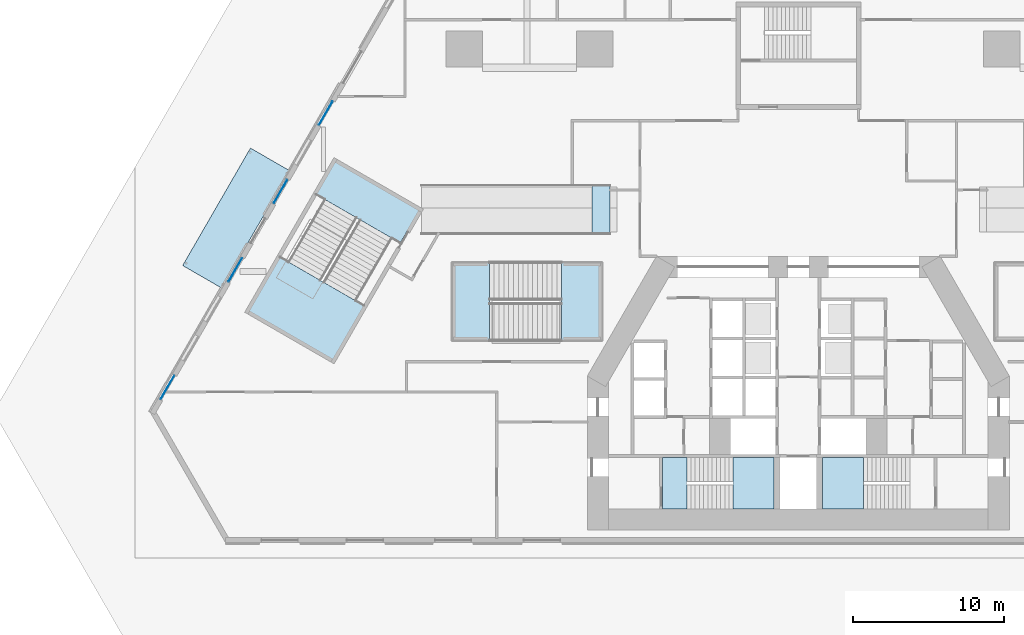
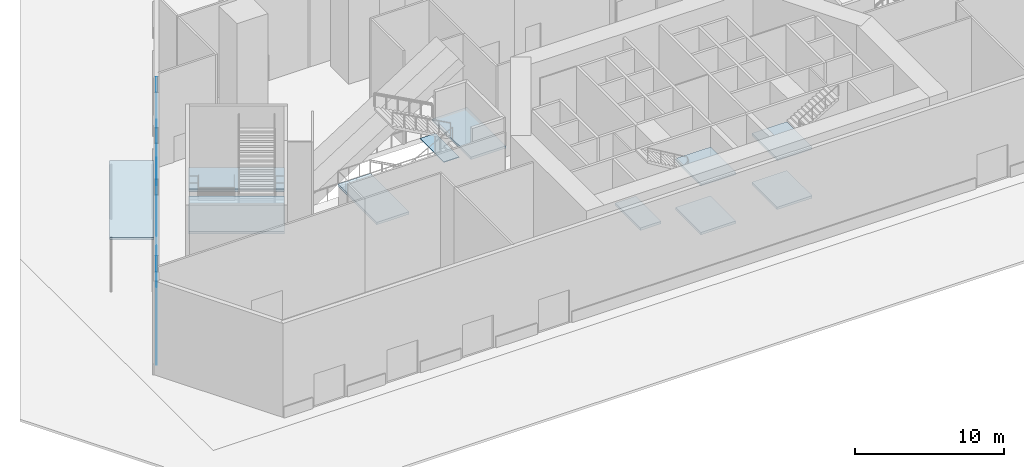
# One storey, part 9 of 24: 27 plates, 10 slabs, 8 elements without a shape of their own.
"""IFC4 building model written with IfcOpenShell, lengths in metres."""

from ifc_helpers import new_model, si_unit, direction, frame, origin, origin_2d, place, context, subcontext, project, spatial, polyline, rectangle, outline, extrude, material, layer, layer_set, type_object, element, aggregate, save


model = new_model("IFC4")

# Units and contexts
model_context = context("Model", 3, precision=1e-05, world=origin(), true_north=direction((0.0, 1.0)))
body_context = subcontext(model_context, "Body", "Model", "MODEL_VIEW")
ifc_project = project(units=[si_unit("LENGTHUNIT", "METRE"), si_unit("AREAUNIT", "SQUARE_METRE"), si_unit("VOLUMEUNIT", "CUBIC_METRE"), si_unit("PLANEANGLEUNIT", "RADIAN"), si_unit("MASSUNIT", "GRAM", prefix="KILO")], contexts=[model_context])

# Site, building, storey
site_placement = place(None, origin())
site = spatial("IfcSite", under=ifc_project, at=site_placement, CompositionType="ELEMENT")
building_placement = place(site_placement, origin())
building = spatial("IfcBuilding", under=site, at=building_placement, Name="Fogline Exchange Tower", CompositionType="ELEMENT")
storey_placement = place(building_placement, origin())
storey = spatial("IfcBuildingStorey", under=building, at=storey_placement, Name="L00", CompositionType="ELEMENT", Elevation=0.0)

# Slab
ifc_material_1 = material(Name="Steel Q355 grade B", Category="steel")
ifc_layer_1 = layer(ifc_material_1, 0.14990234375)
ifc_layer_set_1 = layer_set([ifc_layer_1], Name="CN1")
slab_type_1 = type_object("IfcSlabType", Name="CN1", PredefinedType="ROOF", material=ifc_layer_set_1)
slab_1_placement = place(storey_placement, frame((0.0, 0.0, 4.449951171875)))
element("IfcSlab", 1, at=slab_1_placement, inside=storey, type_object=slab_type_1, Name="Entrance canopy ST-W", PredefinedType="ROOF", context=body_context, shape_type="SweptSolid", body=[
    extrude(outline(polyline([(-33.75, 24.681640625), (-36.34814453125, 26.181640625), (-40.84814453125, 18.387451171875), (-38.25, 16.887451171875), (-33.75, 24.681640625)])), origin(), (0.0, 0.0, 1.0), 0.150146484375),
])

# Curtain wall, plates
ifc_material_2 = material(Name="Aluminium and glass", Category="aluminium")
curtain_wall_type_1 = type_object("IfcCurtainWallType", Name="CW1", PredefinedType="NOTDEFINED", material=ifc_material_2)
curtain_wall_1_placement = place(storey_placement, origin())
curtain_wall_1 = element("IfcCurtainWall", 2, at=curtain_wall_1_placement, inside=storey, type_object=curtain_wall_type_1, Name="CW1 L00 W run 2", PredefinedType="NOTDEFINED")
ifc_material_3 = material(Name="Glass", Category="glass")
ifc_layer_2 = layer(ifc_material_3, 0.035888671875)
ifc_layer_set_2 = layer_set([ifc_layer_2], Name="CW1-P")
plate_type_1 = type_object("IfcPlateType", Name="CW1-P", PredefinedType="CURTAIN_PANEL", material=ifc_layer_set_2)
plate_1_placement = place(storey_placement, frame((-34.352783203125, 23.297607421875, 0.080078125), z_axis=(0.0, 0.0, 1.0), x_axis=(-0.500001811561, -0.866024357877, 0.0)))
plate_1 = element("IfcPlate", 3, at=plate_1_placement, type_object=plate_type_1, Name="CW1-P00-03 panel 1.1", PredefinedType="CURTAIN_PANEL", context=body_context, shape_type="SweptSolid", body=[
    extrude(rectangle(XDim=1.764892578125, YDim=0.035888671875, at=origin_2d()), origin(), (0.0, 0.0, 1.0), 0.97998046875),
])
plate_2_placement = place(storey_placement, frame((-34.352783203125, 23.297607421875, 1.14013671875), z_axis=(0.0, 0.0, 1.0), x_axis=(-0.500001811561, -0.866024357877, 0.0)))
plate_2 = element("IfcPlate", 4, at=plate_2_placement, type_object=plate_type_1, Name="CW1-P00-03 panel 1.2", PredefinedType="CURTAIN_PANEL", context=body_context, shape_type="SweptSolid", body=[
    extrude(rectangle(XDim=1.764892578125, YDim=0.035888671875, at=origin_2d()), origin(), (0.0, 0.0, 1.0), 1.159912109375),
])
plate_3_placement = place(storey_placement, frame((-34.352783203125, 23.297607421875, 2.3798828125), z_axis=(0.0, 0.0, 1.0), x_axis=(-0.500001811561, -0.866024357877, 0.0)))
plate_3 = element("IfcPlate", 5, at=plate_3_placement, type_object=plate_type_1, Name="CW1-P00-03 panel 1.3", PredefinedType="CURTAIN_PANEL", context=body_context, shape_type="SweptSolid", body=[
    extrude(rectangle(XDim=1.764892578125, YDim=0.035888671875, at=origin_2d()), origin(), (0.0, 0.0, 1.0), 1.159912109375),
])
plate_4_placement = place(storey_placement, frame((-34.352783203125, 23.297607421875, 3.6201171875), z_axis=(0.0, 0.0, 1.0), x_axis=(-0.500001811561, -0.866024357877, 0.0)))
plate_4 = element("IfcPlate", 6, at=plate_4_placement, type_object=plate_type_1, Name="CW1-P00-03 panel 1.4", PredefinedType="CURTAIN_PANEL", context=body_context, shape_type="SweptSolid", body=[
    extrude(rectangle(XDim=1.764892578125, YDim=0.035888671875, at=origin_2d()), origin(), (0.0, 0.0, 1.0), 1.159912109375),
])
plate_5_placement = place(storey_placement, frame((-34.352783203125, 23.297607421875, 4.85986328125), z_axis=(0.0, 0.0, 1.0), x_axis=(-0.500001811561, -0.866024357877, 0.0)))
plate_5 = element("IfcPlate", 7, at=plate_5_placement, type_object=plate_type_1, Name="CW1-P00-03 panel 1.5", PredefinedType="CURTAIN_PANEL", context=body_context, shape_type="SweptSolid", body=[
    extrude(rectangle(XDim=1.764892578125, YDim=0.035888671875, at=origin_2d()), origin(), (0.0, 0.0, 1.0), 1.159912109375),
])
plate_6_placement = place(storey_placement, frame((-34.352783203125, 23.297607421875, 6.10009765625), z_axis=(0.0, 0.0, 1.0), x_axis=(-0.500001811561, -0.866024357877, 0.0)))
plate_6 = element("IfcPlate", 8, at=plate_6_placement, type_object=plate_type_1, Name="CW1-P00-03 panel 1.6", PredefinedType="CURTAIN_PANEL", context=body_context, shape_type="SweptSolid", body=[
    extrude(rectangle(XDim=1.764892578125, YDim=0.035888671875, at=origin_2d()), origin(), (0.0, 0.0, 1.0), 1.159912109375),
])
plate_7_placement = place(storey_placement, frame((-34.352783203125, 23.297607421875, 7.33984375), z_axis=(0.0, 0.0, 1.0), x_axis=(-0.500001811561, -0.866024357877, 0.0)))
plate_7 = element("IfcPlate", 9, at=plate_7_placement, type_object=plate_type_1, Name="CW1-P00-03 panel 1.7", PredefinedType="CURTAIN_PANEL", context=body_context, shape_type="SweptSolid", body=[
    extrude(rectangle(XDim=1.764892578125, YDim=0.035888671875, at=origin_2d()), origin(), (0.0, 0.0, 1.0), 0.280029296875),
])
aggregate(curtain_wall_1, [plate_1, plate_2, plate_3, plate_4, plate_5, plate_6, plate_7])

curtain_wall_2_placement = place(storey_placement, origin())
curtain_wall_2 = element("IfcCurtainWall", 10, at=curtain_wall_2_placement, inside=storey, type_object=curtain_wall_type_1, Name="CW1 L00 W run 3", PredefinedType="NOTDEFINED")
plate_8_placement = place(storey_placement, frame((-37.352783203125, 18.1015625, 0.080078125), z_axis=(0.0, 0.0, 1.0), x_axis=(-0.499999514416, -0.866025684137, 0.0)))
plate_8 = element("IfcPlate", 11, at=plate_8_placement, type_object=plate_type_1, Name="CW1-P00-04 panel 1.1", PredefinedType="CURTAIN_PANEL", context=body_context, shape_type="SweptSolid", body=[
    extrude(rectangle(XDim=1.764892578125, YDim=0.035888671875, at=origin_2d()), origin(), (0.0, 0.0, 1.0), 0.97998046875),
])
plate_9_placement = place(storey_placement, frame((-37.352783203125, 18.1015625, 1.14013671875), z_axis=(0.0, 0.0, 1.0), x_axis=(-0.499999514416, -0.866025684137, 0.0)))
plate_9 = element("IfcPlate", 12, at=plate_9_placement, type_object=plate_type_1, Name="CW1-P00-04 panel 1.2", PredefinedType="CURTAIN_PANEL", context=body_context, shape_type="SweptSolid", body=[
    extrude(rectangle(XDim=1.764892578125, YDim=0.035888671875, at=origin_2d()), origin(), (0.0, 0.0, 1.0), 1.159912109375),
])
plate_10_placement = place(storey_placement, frame((-37.352783203125, 18.1015625, 2.3798828125), z_axis=(0.0, 0.0, 1.0), x_axis=(-0.499999514416, -0.866025684137, 0.0)))
plate_10 = element("IfcPlate", 13, at=plate_10_placement, type_object=plate_type_1, Name="CW1-P00-04 panel 1.3", PredefinedType="CURTAIN_PANEL", context=body_context, shape_type="SweptSolid", body=[
    extrude(rectangle(XDim=1.764892578125, YDim=0.035888671875, at=origin_2d()), origin(), (0.0, 0.0, 1.0), 1.159912109375),
])
plate_11_placement = place(storey_placement, frame((-37.352783203125, 18.1015625, 3.6201171875), z_axis=(0.0, 0.0, 1.0), x_axis=(-0.499999514416, -0.866025684137, 0.0)))
plate_11 = element("IfcPlate", 14, at=plate_11_placement, type_object=plate_type_1, Name="CW1-P00-04 panel 1.4", PredefinedType="CURTAIN_PANEL", context=body_context, shape_type="SweptSolid", body=[
    extrude(rectangle(XDim=1.764892578125, YDim=0.035888671875, at=origin_2d()), origin(), (0.0, 0.0, 1.0), 1.159912109375),
])
plate_12_placement = place(storey_placement, frame((-37.352783203125, 18.1015625, 4.85986328125), z_axis=(0.0, 0.0, 1.0), x_axis=(-0.499999514416, -0.866025684137, 0.0)))
plate_12 = element("IfcPlate", 15, at=plate_12_placement, type_object=plate_type_1, Name="CW1-P00-04 panel 1.5", PredefinedType="CURTAIN_PANEL", context=body_context, shape_type="SweptSolid", body=[
    extrude(rectangle(XDim=1.764892578125, YDim=0.035888671875, at=origin_2d()), origin(), (0.0, 0.0, 1.0), 1.159912109375),
])
plate_13_placement = place(storey_placement, frame((-37.352783203125, 18.1015625, 6.10009765625), z_axis=(0.0, 0.0, 1.0), x_axis=(-0.499999514416, -0.866025684137, 0.0)))
plate_13 = element("IfcPlate", 16, at=plate_13_placement, type_object=plate_type_1, Name="CW1-P00-04 panel 1.6", PredefinedType="CURTAIN_PANEL", context=body_context, shape_type="SweptSolid", body=[
    extrude(rectangle(XDim=1.764892578125, YDim=0.035888671875, at=origin_2d()), origin(), (0.0, 0.0, 1.0), 1.159912109375),
])
plate_14_placement = place(storey_placement, frame((-37.352783203125, 18.1015625, 7.33984375), z_axis=(0.0, 0.0, 1.0), x_axis=(-0.499999514416, -0.866025684137, 0.0)))
plate_14 = element("IfcPlate", 17, at=plate_14_placement, type_object=plate_type_1, Name="CW1-P00-04 panel 1.7", PredefinedType="CURTAIN_PANEL", context=body_context, shape_type="SweptSolid", body=[
    extrude(rectangle(XDim=1.764892578125, YDim=0.035888671875, at=origin_2d()), origin(), (0.0, 0.0, 1.0), 0.280029296875),
])
aggregate(curtain_wall_2, [plate_8, plate_9, plate_10, plate_11, plate_12, plate_13, plate_14])

curtain_wall_type_2 = type_object("IfcCurtainWallType", Name="CW3", PredefinedType="NOTDEFINED", material=ifc_material_2)
curtain_wall_3_placement = place(storey_placement, origin())
curtain_wall_3 = element("IfcCurtainWall", 18, at=curtain_wall_3_placement, inside=storey, type_object=curtain_wall_type_2, Name="CW3 L00 W run 1", PredefinedType="NOTDEFINED")
ifc_layer_3 = layer(ifc_material_3, 0.028076171875)
ifc_layer_set_3 = layer_set([ifc_layer_3], Name="CW3-P")
plate_type_2 = type_object("IfcPlateType", Name="CW3-P", PredefinedType="CURTAIN_PANEL", material=ifc_layer_set_3)
plate_15_placement = place(storey_placement, frame((-31.352783203125, 28.493896484375, 0.06005859375), z_axis=(0.0, 0.0, 1.0), x_axis=(-0.499999514416, -0.866025684137, 0.0)))
plate_15 = element("IfcPlate", 19, at=plate_15_placement, type_object=plate_type_2, Name="CW3-P00-03 panel 1.1", PredefinedType="CURTAIN_PANEL", context=body_context, shape_type="SweptSolid", body=[
    extrude(rectangle(XDim=1.784912109375, YDim=0.028076171875, at=origin_2d()), origin(), (0.0, 0.0, 1.0), 1.010009765625),
])
plate_16_placement = place(storey_placement, frame((-31.352783203125, 28.493896484375, 1.1298828125), z_axis=(0.0, 0.0, 1.0), x_axis=(-0.499999514416, -0.866025684137, 0.0)))
plate_16 = element("IfcPlate", 20, at=plate_16_placement, type_object=plate_type_2, Name="CW3-P00-03 panel 1.2", PredefinedType="CURTAIN_PANEL", context=body_context, shape_type="SweptSolid", body=[
    extrude(rectangle(XDim=1.784912109375, YDim=0.028076171875, at=origin_2d()), origin(), (0.0, 0.0, 1.0), 1.489990234375),
])
plate_17_placement = place(storey_placement, frame((-31.352783203125, 28.493896484375, 2.68017578125), z_axis=(0.0, 0.0, 1.0), x_axis=(-0.499999514416, -0.866025684137, 0.0)))
plate_17 = element("IfcPlate", 21, at=plate_17_placement, type_object=plate_type_2, Name="CW3-P00-03 panel 1.3", PredefinedType="CURTAIN_PANEL", context=body_context, shape_type="SweptSolid", body=[
    extrude(rectangle(XDim=1.784912109375, YDim=0.028076171875, at=origin_2d()), origin(), (0.0, 0.0, 1.0), 1.489990234375),
])
plate_18_placement = place(storey_placement, frame((-31.352783203125, 28.493896484375, 4.22998046875), z_axis=(0.0, 0.0, 1.0), x_axis=(-0.499999514416, -0.866025684137, 0.0)))
plate_18 = element("IfcPlate", 22, at=plate_18_placement, type_object=plate_type_2, Name="CW3-P00-03 panel 1.4", PredefinedType="CURTAIN_PANEL", context=body_context, shape_type="SweptSolid", body=[
    extrude(rectangle(XDim=1.784912109375, YDim=0.028076171875, at=origin_2d()), origin(), (0.0, 0.0, 1.0), 1.489990234375),
])
plate_19_placement = place(storey_placement, frame((-31.352783203125, 28.493896484375, 5.77978515625), z_axis=(0.0, 0.0, 1.0), x_axis=(-0.499999514416, -0.866025684137, 0.0)))
plate_19 = element("IfcPlate", 23, at=plate_19_placement, type_object=plate_type_2, Name="CW3-P00-03 panel 1.5", PredefinedType="CURTAIN_PANEL", context=body_context, shape_type="SweptSolid", body=[
    extrude(rectangle(XDim=1.784912109375, YDim=0.028076171875, at=origin_2d()), origin(), (0.0, 0.0, 1.0), 1.489990234375),
])
plate_20_placement = place(storey_placement, frame((-31.352783203125, 28.493896484375, 7.330078125), z_axis=(0.0, 0.0, 1.0), x_axis=(-0.499999514416, -0.866025684137, 0.0)))
plate_20 = element("IfcPlate", 24, at=plate_20_placement, type_object=plate_type_2, Name="CW3-P00-03 panel 1.6", PredefinedType="CURTAIN_PANEL", context=body_context, shape_type="SweptSolid", body=[
    extrude(rectangle(XDim=1.784912109375, YDim=0.028076171875, at=origin_2d()), origin(), (0.0, 0.0, 1.0), 0.31005859375),
])
aggregate(curtain_wall_3, [plate_15, plate_16, plate_17, plate_18, plate_19, plate_20])

curtain_wall_4_placement = place(storey_placement, origin())
curtain_wall_4 = element("IfcCurtainWall", 25, at=curtain_wall_4_placement, inside=storey, type_object=curtain_wall_type_2, Name="CW3 L00 W run 4", PredefinedType="NOTDEFINED")
plate_21_placement = place(storey_placement, frame((-41.852783203125, 10.307373046875, 0.06005859375), z_axis=(0.0, 0.0, 1.0), x_axis=(-0.500001811561, -0.866024357877, 0.0)))
plate_21 = element("IfcPlate", 26, at=plate_21_placement, type_object=plate_type_2, Name="CW3-P00-04 panel 1.1", PredefinedType="CURTAIN_PANEL", context=body_context, shape_type="SweptSolid", body=[
    extrude(rectangle(XDim=1.784912109375, YDim=0.028076171875, at=origin_2d()), origin(), (0.0, 0.0, 1.0), 1.010009765625),
])
plate_22_placement = place(storey_placement, frame((-41.852783203125, 10.307373046875, 1.1298828125), z_axis=(0.0, 0.0, 1.0), x_axis=(-0.500001811561, -0.866024357877, 0.0)))
plate_22 = element("IfcPlate", 27, at=plate_22_placement, type_object=plate_type_2, Name="CW3-P00-04 panel 1.2", PredefinedType="CURTAIN_PANEL", context=body_context, shape_type="SweptSolid", body=[
    extrude(rectangle(XDim=1.784912109375, YDim=0.028076171875, at=origin_2d()), origin(), (0.0, 0.0, 1.0), 1.489990234375),
])
plate_23_placement = place(storey_placement, frame((-41.852783203125, 10.307373046875, 2.68017578125), z_axis=(0.0, 0.0, 1.0), x_axis=(-0.500001811561, -0.866024357877, 0.0)))
plate_23 = element("IfcPlate", 28, at=plate_23_placement, type_object=plate_type_2, Name="CW3-P00-04 panel 1.3", PredefinedType="CURTAIN_PANEL", context=body_context, shape_type="SweptSolid", body=[
    extrude(rectangle(XDim=1.784912109375, YDim=0.028076171875, at=origin_2d()), origin(), (0.0, 0.0, 1.0), 1.489990234375),
])
plate_24_placement = place(storey_placement, frame((-41.852783203125, 10.307373046875, 4.22998046875), z_axis=(0.0, 0.0, 1.0), x_axis=(-0.500001811561, -0.866024357877, 0.0)))
plate_24 = element("IfcPlate", 29, at=plate_24_placement, type_object=plate_type_2, Name="CW3-P00-04 panel 1.4", PredefinedType="CURTAIN_PANEL", context=body_context, shape_type="SweptSolid", body=[
    extrude(rectangle(XDim=1.784912109375, YDim=0.028076171875, at=origin_2d()), origin(), (0.0, 0.0, 1.0), 1.489990234375),
])
plate_25_placement = place(storey_placement, frame((-41.852783203125, 10.307373046875, 5.77978515625), z_axis=(0.0, 0.0, 1.0), x_axis=(-0.500001811561, -0.866024357877, 0.0)))
plate_25 = element("IfcPlate", 30, at=plate_25_placement, type_object=plate_type_2, Name="CW3-P00-04 panel 1.5", PredefinedType="CURTAIN_PANEL", context=body_context, shape_type="SweptSolid", body=[
    extrude(rectangle(XDim=1.784912109375, YDim=0.028076171875, at=origin_2d()), origin(), (0.0, 0.0, 1.0), 1.489990234375),
])
plate_26_placement = place(storey_placement, frame((-41.852783203125, 10.307373046875, 7.330078125), z_axis=(0.0, 0.0, 1.0), x_axis=(-0.500001811561, -0.866024357877, 0.0)))
plate_26 = element("IfcPlate", 31, at=plate_26_placement, type_object=plate_type_2, Name="CW3-P00-04 panel 1.6", PredefinedType="CURTAIN_PANEL", context=body_context, shape_type="SweptSolid", body=[
    extrude(rectangle(XDim=1.784912109375, YDim=0.028076171875, at=origin_2d()), origin(), (0.0, 0.0, 1.0), 0.31005859375),
])
aggregate(curtain_wall_4, [plate_21, plate_22, plate_23, plate_24, plate_25, plate_26])

# Plate
ifc_material_4 = material(Name="Aluminium", Category="aluminium")
ifc_layer_4 = layer(ifc_material_4, 0.050048828125)
ifc_layer_set_4 = layer_set([ifc_layer_4], Name="EP1")
plate_type_3 = type_object("IfcPlateType", Name="EP1", PredefinedType="SHEET", material=ifc_layer_set_4)
plate_27_placement = place(storey_placement, frame((0.0, 0.0, -0.050048828125)))
element("IfcPlate", 32, at=plate_27_placement, inside=storey, type_object=plate_type_3, Name="Escalator landing plate", PredefinedType="SHEET", context=body_context, shape_type="SweptSolid", body=[
    extrude(outline(polyline([(-13.699951171875, 20.5), (-12.5, 20.5), (-12.5, 23.699951171875), (-13.699951171875, 23.699951171875), (-13.699951171875, 20.5)])), origin(), (0.0, 0.0, 1.0), 0.050048828125),
])

# Stair, slabs
ifc_material_5 = material(Name="Concrete C40", Category="concrete")
stair_type_1 = type_object("IfcStairType", Name="PSF0-46-1739", PredefinedType="HALF_TURN_STAIR", material=ifc_material_5)
stair_1_placement = place(storey_placement, origin())
stair_1 = element("IfcStair", 33, at=stair_1_placement, inside=storey, type_object=stair_type_1, Name="Stair ST4", PredefinedType="HALF_TURN_STAIR")
ifc_layer_5 = layer(ifc_material_5, 0.199951171875)
ifc_layer_set_5 = layer_set([ifc_layer_5], Name="PSL1")
slab_type_2 = type_object("IfcSlabType", Name="PSL1", PredefinedType="LANDING", material=ifc_layer_set_5)
slab_2_placement = place(storey_placement, frame((0.0, 0.0, 2.40869140625)))
slab_2 = element("IfcSlab", 34, at=slab_2_placement, type_object=slab_type_2, Name="ST4 landing 1", PredefinedType="LANDING", context=body_context, shape_type="SweptSolid", body=[
    extrude(outline(polyline([(-31.980224609375, 23.09765625), (-30.7294921875, 25.2646484375), (-25.16064453125, 22.0498046875), (-26.41162109375, 19.8828125), (-31.980224609375, 23.09765625)])), origin(), (0.0, 0.0, 1.0), 0.199951171875),
])
slab_3_placement = place(storey_placement, frame((0.0, 0.0, 5.19140625)))
slab_3 = element("IfcSlab", 35, at=slab_3_placement, type_object=slab_type_2, Name="ST4 landing 2", PredefinedType="LANDING", context=body_context, shape_type="SweptSolid", body=[
    extrude(outline(polyline([(-36.444091796875, 15.36572265625), (-34.378173828125, 18.9443359375), (-28.8095703125, 15.729248046875), (-30.87548828125, 12.15087890625), (-36.444091796875, 15.36572265625)])), origin(), (0.0, 0.0, 1.0), 0.199951171875),
])
aggregate(stair_1, [slab_2, slab_3])

stair_2_placement = place(storey_placement, origin())
stair_2 = element("IfcStair", 36, at=stair_2_placement, inside=storey, type_object=stair_type_1, Name="Public stair PS1", PredefinedType="HALF_TURN_STAIR")
slab_4_placement = place(storey_placement, frame((0.0, 0.0, 2.40869140625)))
slab_4 = element("IfcSlab", 37, at=slab_4_placement, type_object=slab_type_2, Name="PS1 landing 1", PredefinedType="LANDING", context=body_context, shape_type="SweptSolid", body=[
    extrude(outline(polyline([(-23.0, 13.39990234375), (-20.498046875, 13.39990234375), (-20.498046875, 18.60009765625), (-23.0, 18.60009765625), (-23.0, 13.39990234375)])), origin(), (0.0, 0.0, 1.0), 0.199951171875),
])
slab_5_placement = place(storey_placement, frame((0.0, 0.0, 5.19140625)))
slab_5 = element("IfcSlab", 38, at=slab_5_placement, type_object=slab_type_2, Name="PS1 landing 2", PredefinedType="LANDING", context=body_context, shape_type="SweptSolid", body=[
    extrude(outline(polyline([(-15.701904296875, 13.39990234375), (-13.0, 13.39990234375), (-13.0, 18.60009765625), (-15.701904296875, 18.60009765625), (-15.701904296875, 13.39990234375)])), origin(), (0.0, 0.0, 1.0), 0.199951171875),
])
aggregate(stair_2, [slab_4, slab_5])

stair_type_2 = type_object("IfcStairType", Name="STR48-1667", PredefinedType="HALF_TURN_STAIR", material=ifc_material_5)
stair_3_placement = place(storey_placement, origin())
stair_3 = element("IfcStair", 39, at=stair_3_placement, inside=storey, type_object=stair_type_2, Name="Stair ST1", PredefinedType="HALF_TURN_STAIR")
ifc_layer_6 = layer(ifc_material_5, 0.199951171875)
ifc_layer_set_6 = layer_set([ifc_layer_6], Name="SL200")
slab_type_3 = type_object("IfcSlabType", Name="SL200", PredefinedType="LANDING", material=ifc_layer_set_6)
slab_6_placement = place(storey_placement, frame((0.0, 0.0, 1.800048828125)))
slab_6 = element("IfcSlab", 40, at=slab_6_placement, type_object=slab_type_3, Name="ST1 landing 1", PredefinedType="LANDING", context=body_context, shape_type="SweptSolid", body=[
    extrude(outline(polyline([(-4.320068359375, 2.25), (-1.60009765625, 2.25), (-1.60009765625, 5.64990234375), (-4.320068359375, 5.64990234375), (-4.320068359375, 2.25)])), origin(), (0.0, 0.0, 1.0), 0.199951171875),
])
slab_7_placement = place(storey_placement, frame((0.0, 0.0, 3.800048828125)))
slab_7 = element("IfcSlab", 41, at=slab_7_placement, type_object=slab_type_3, Name="ST1 landing 2", PredefinedType="LANDING", context=body_context, shape_type="SweptSolid", body=[
    extrude(outline(polyline([(-9.0, 2.25), (-7.39990234375, 2.25), (-7.39990234375, 5.64990234375), (-9.0, 5.64990234375), (-9.0, 2.25)])), origin(), (0.0, 0.0, 1.0), 0.199951171875),
])
slab_8_placement = place(storey_placement, frame((0.0, 0.0, 5.800048828125)))
slab_8 = element("IfcSlab", 42, at=slab_8_placement, type_object=slab_type_3, Name="ST1 landing 3", PredefinedType="LANDING", context=body_context, shape_type="SweptSolid", body=[
    extrude(outline(polyline([(-4.320068359375, 2.25), (-1.60009765625, 2.25), (-1.60009765625, 5.64990234375), (-4.320068359375, 5.64990234375), (-4.320068359375, 2.25)])), origin(), (0.0, 0.0, 1.0), 0.199951171875),
])
aggregate(stair_3, [slab_6, slab_7, slab_8])

stair_4_placement = place(storey_placement, origin())
stair_4 = element("IfcStair", 43, at=stair_4_placement, inside=storey, type_object=stair_type_2, Name="Stair ST2", PredefinedType="HALF_TURN_STAIR")
slab_9_placement = place(storey_placement, frame((0.0, 0.0, 1.800048828125)))
slab_9 = element("IfcSlab", 44, at=slab_9_placement, type_object=slab_type_3, Name="ST2 landing 1", PredefinedType="LANDING", context=body_context, shape_type="SweptSolid", body=[
    extrude(outline(polyline([(1.60009765625, 2.25), (4.320068359375, 2.25), (4.320068359375, 5.64990234375), (1.60009765625, 5.64990234375), (1.60009765625, 2.25)])), origin(), (0.0, 0.0, 1.0), 0.199951171875),
])
slab_10_placement = place(storey_placement, frame((0.0, 0.0, 5.800048828125)))
slab_10 = element("IfcSlab", 45, at=slab_10_placement, type_object=slab_type_3, Name="ST2 landing 3", PredefinedType="LANDING", context=body_context, shape_type="SweptSolid", body=[
    extrude(outline(polyline([(1.60009765625, 2.25), (4.320068359375, 2.25), (4.320068359375, 5.64990234375), (1.60009765625, 5.64990234375), (1.60009765625, 2.25)])), origin(), (0.0, 0.0, 1.0), 0.199951171875),
])
aggregate(stair_4, [slab_9, slab_10])

save(model, "model.ifc")
